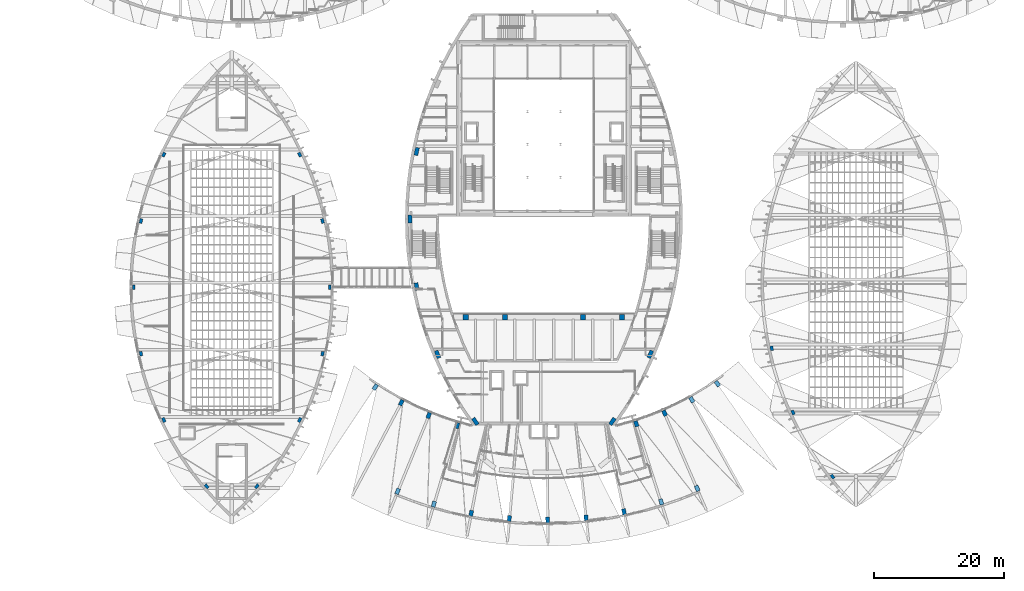
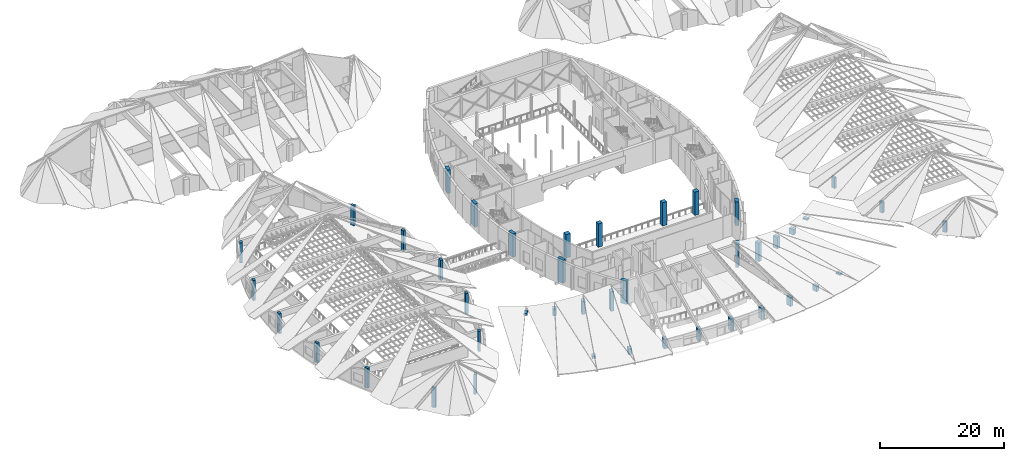
# One storey, part 1 of 56: 43 columns.
"""IFC4 building model written with IfcOpenShell, lengths in metres."""

from ifc_helpers import new_model, si_unit, direction, frame, origin, origin_2d, place, context, subcontext, project, spatial, rectangle, extrude, material, material_profile, profile_set, type_object, element, save


model = new_model("IFC4")

# Units and contexts
model_context = context("Model", 3, precision=1e-05, world=origin(), true_north=direction((0.0, 1.0)))
body_context = subcontext(model_context, "Body", "Model", "MODEL_VIEW")
ifc_project = project(units=[si_unit("LENGTHUNIT", "METRE"), si_unit("AREAUNIT", "SQUARE_METRE"), si_unit("VOLUMEUNIT", "CUBIC_METRE"), si_unit("PLANEANGLEUNIT", "RADIAN"), si_unit("MASSUNIT", "GRAM", prefix="KILO")], contexts=[model_context])

# Site, building, storey
site_placement = place(None, origin())
site = spatial("IfcSite", under=ifc_project, at=site_placement, CompositionType="ELEMENT")
building_placement = place(site_placement, origin())
building = spatial("IfcBuilding", under=site, at=building_placement, Name="Tide Square Theatres", CompositionType="ELEMENT")
storey_placement = place(building_placement, frame((0.0, 0.0, 10.199951171875)))
storey = spatial("IfcBuildingStorey", under=building, at=storey_placement, Name="L02", CompositionType="ELEMENT", Elevation=10.199951171875)

# Columns
ifc_material_1 = material(Name="Concrete C40", Category="concrete")
ifc_material_profile_1 = material_profile(ifc_material_1, rectangle(XDim=0.800048828125, YDim=0.800048828125, at=origin_2d()))
ifc_profile_set_1 = profile_set([ifc_material_profile_1], Name="Concrete C40")
column_type_1 = type_object("IfcColumnType", Name="RC column 800 x 800", PredefinedType="COLUMN", material=ifc_profile_set_1)
for number, where, z_axis, x_axis, name in (
    (1, (72.0, 39.89990234375, 0.0), (0.0, 0.0, 1.0), (1.0, 0.0, 0.0), "Circle front column"),
    (2, (78.0, 39.89990234375, 0.0), (0.0, 0.0, 1.0), (1.0, 0.0, 0.0), "Circle front column"),
    (3, (90.0, 39.89990234375, 0.0), (0.0, 0.0, 1.0), (1.0, 0.0, 0.0), "Circle front column"),
    (4, (96.0, 39.89990234375, 0.0), (0.0, 0.0, 1.0), (1.0, 0.0, 0.0), "Circle front column"),
):
    element("IfcColumn", number, at=place(storey_placement, frame(where, z_axis=z_axis, x_axis=x_axis)), inside=storey, type_object=column_type_1, Name=name, PredefinedType="COLUMN", context=body_context, shape_type="SweptSolid", body=[
        extrude(rectangle(XDim=0.800048828125, YDim=0.800048828125, at=origin_2d()), origin(), (0.0, 0.0, 1.0), 4.60009765625),
    ])
ifc_material_2 = material(Name="Concrete C40", Category="concrete")
ifc_material_profile_2 = material_profile(ifc_material_2, rectangle(XDim=1.199951171875, YDim=0.60009765625, at=origin_2d()))
ifc_profile_set_2 = profile_set([ifc_material_profile_2], Name="Concrete C40")
column_type_2 = type_object("IfcColumnType", Name="RC pier 1200 x 600", PredefinedType="PILASTER", material=ifc_profile_set_2)
for number, where, z_axis, x_axis, name in (
    (5, (94.5400390625, 23.878173828125, 0.0), (0.0, 0.0, 1.0), (0.562978035902, 0.82647185741, 0.0), "Rib foot pier"),
    (6, (100.35986328125, 34.2119140625, 0.0), (0.0, 0.0, 1.0), (0.416344267901, 0.90920704495, 0.0), "Rib foot pier"),
    (7, (73.4599609375, 23.878173828125, 0.0), (0.0, 0.0, 1.0), (0.562978035902, -0.82647185741, 0.0), "Rib foot pier"),
    (8, (67.651123046875, 34.185791015625, 0.0), (0.0, 0.0, 1.0), (0.366955870742, -0.930238350601, 0.0), "Rib foot pier"),
    (9, (64.443115234375, 44.58642578125, 0.0), (0.0, 0.0, 1.0), (0.171172540003, -0.985241067734, 0.0), "Rib foot pier"),
    (10, (63.414794921875, 54.987060546875, 0.0), (0.0, 0.0, 1.0), (-0.024571762574, -0.999698068661, 0.0), "Rib foot pier"),
    (11, (64.43798828125, 65.3876953125, 0.0), (0.0, 0.0, 1.0), (-0.220356962886, -0.975419299024, 0.0), "Rib foot pier"),
):
    element("IfcColumn", number, at=place(storey_placement, frame(where, z_axis=z_axis, x_axis=x_axis)), inside=storey, type_object=column_type_2, Name=name, PredefinedType="PILASTER", context=body_context, shape_type="SweptSolid", body=[
        extrude(rectangle(XDim=1.199951171875, YDim=0.60009765625, at=origin_2d()), origin(), (0.0, 0.0, 1.0), 4.60009765625),
    ])
ifc_material_3 = material(Name="Concrete C40", Category="concrete")
ifc_material_profile_3 = material_profile(ifc_material_3, rectangle(XDim=0.699951171875, YDim=0.449951171875, at=origin_2d()))
ifc_profile_set_3 = profile_set([ifc_material_profile_3], Name="Concrete C40")
column_type_3 = type_object("IfcColumnType", Name="RC pier 700 x 450", PredefinedType="PILASTER", material=ifc_profile_set_3)
column_1_placement = place(storey_placement, frame((39.86279296875, 13.90380859375, 0.0), z_axis=(0.0, 0.0, 1.0), x_axis=(0.646183644891, 0.763181955418, 0.0)))
element("IfcColumn", 12, at=column_1_placement, inside=storey, type_object=column_type_3, Name="Studio Theatre wall pier", PredefinedType="PILASTER", context=body_context, shape_type="SweptSolid", body=[
    extrude(rectangle(XDim=0.699951171875, YDim=0.449951171875, at=origin_2d()), origin(), (0.0, 0.0, 1.0), 3.923828125),
])
column_2_placement = place(storey_placement, frame((46.452392578125, 24.103515625, 0.0), z_axis=(0.0, 0.0, 1.0), x_axis=(0.433813735983, 0.901002576285, 0.0)))
element("IfcColumn", 13, at=column_2_placement, inside=storey, type_object=column_type_3, Name="Studio Theatre wall pier", PredefinedType="PILASTER", context=body_context, shape_type="SweptSolid", body=[
    extrude(rectangle(XDim=0.699951171875, YDim=0.449951171875, at=origin_2d()), origin(), (0.0, 0.0, 1.0), 3.928955078125),
])
column_3_placement = place(storey_placement, frame((49.95703125, 34.3017578125, 0.0), z_axis=(0.0, 0.0, 1.0), x_axis=(0.216640755448, 0.976251393381, 0.0)))
element("IfcColumn", 14, at=column_3_placement, inside=storey, type_object=column_type_3, Name="Studio Theatre wall pier", PredefinedType="PILASTER", context=body_context, shape_type="SweptSolid", body=[
    extrude(rectangle(XDim=0.699951171875, YDim=0.449951171875, at=origin_2d()), origin(), (0.0, 0.0, 1.0), 3.957763671875),
])
column_4_placement = place(storey_placement, frame((51.06787109375, 44.5, 0.0), z_axis=(0.0, 0.0, 1.0), x_axis=(0.0, 1.0, 0.0)))
element("IfcColumn", 15, at=column_4_placement, inside=storey, type_object=column_type_3, Name="Studio Theatre wall pier", PredefinedType="PILASTER", context=body_context, shape_type="SweptSolid", body=[
    extrude(rectangle(XDim=0.699951171875, YDim=0.449951171875, at=origin_2d()), origin(), (0.0, 0.0, 1.0), 3.966552734375),
])
column_5_placement = place(storey_placement, frame((49.95703125, 54.6982421875, 0.0), z_axis=(0.0, 0.0, 1.0), x_axis=(-0.216640755448, 0.976251393381, 0.0)))
element("IfcColumn", 16, at=column_5_placement, inside=storey, type_object=column_type_3, Name="Studio Theatre wall pier", PredefinedType="PILASTER", context=body_context, shape_type="SweptSolid", body=[
    extrude(rectangle(XDim=0.699951171875, YDim=0.449951171875, at=origin_2d()), origin(), (0.0, 0.0, 1.0), 3.953369140625),
])
column_6_placement = place(storey_placement, frame((46.452392578125, 64.896484375, 0.0), z_axis=(0.0, 0.0, 1.0), x_axis=(-0.433813735983, 0.901002576285, 0.0)))
element("IfcColumn", 17, at=column_6_placement, inside=storey, type_object=column_type_3, Name="Studio Theatre wall pier", PredefinedType="PILASTER", context=body_context, shape_type="SweptSolid", body=[
    extrude(rectangle(XDim=0.699951171875, YDim=0.449951171875, at=origin_2d()), origin(), (0.0, 0.0, 1.0), 3.949951171875),
])
column_7_placement = place(storey_placement, frame((32.13720703125, 13.90380859375, 0.0), z_axis=(0.0, 0.0, 1.0), x_axis=(0.646183644891, -0.763181955418, 0.0)))
element("IfcColumn", 18, at=column_7_placement, inside=storey, type_object=column_type_3, Name="Studio Theatre wall pier", PredefinedType="PILASTER", context=body_context, shape_type="SweptSolid", body=[
    extrude(rectangle(XDim=0.699951171875, YDim=0.449951171875, at=origin_2d()), origin(), (0.0, 0.0, 1.0), 3.923828125),
])
column_8_placement = place(storey_placement, frame((25.547607421875, 24.103515625, 0.0), z_axis=(0.0, 0.0, 1.0), x_axis=(0.433813735983, -0.901002576285, 0.0)))
element("IfcColumn", 19, at=column_8_placement, inside=storey, type_object=column_type_3, Name="Studio Theatre wall pier", PredefinedType="PILASTER", context=body_context, shape_type="SweptSolid", body=[
    extrude(rectangle(XDim=0.699951171875, YDim=0.449951171875, at=origin_2d()), origin(), (0.0, 0.0, 1.0), 3.928955078125),
])
column_9_placement = place(storey_placement, frame((22.04296875, 34.3017578125, 0.0), z_axis=(0.0, 0.0, 1.0), x_axis=(0.216640755448, -0.976251393381, 0.0)))
element("IfcColumn", 20, at=column_9_placement, inside=storey, type_object=column_type_3, Name="Studio Theatre wall pier", PredefinedType="PILASTER", context=body_context, shape_type="SweptSolid", body=[
    extrude(rectangle(XDim=0.699951171875, YDim=0.449951171875, at=origin_2d()), origin(), (0.0, 0.0, 1.0), 3.957763671875),
])
column_10_placement = place(storey_placement, frame((20.93212890625, 44.5, 0.0), z_axis=(0.0, 0.0, 1.0), x_axis=(0.0, -1.0, 0.0)))
element("IfcColumn", 21, at=column_10_placement, inside=storey, type_object=column_type_3, Name="Studio Theatre wall pier", PredefinedType="PILASTER", context=body_context, shape_type="SweptSolid", body=[
    extrude(rectangle(XDim=0.699951171875, YDim=0.449951171875, at=origin_2d()), origin(), (0.0, 0.0, 1.0), 3.966552734375),
])
column_11_placement = place(storey_placement, frame((22.04296875, 54.6982421875, 0.0), z_axis=(0.0, 0.0, 1.0), x_axis=(-0.216640755448, -0.976251393381, 0.0)))
element("IfcColumn", 22, at=column_11_placement, inside=storey, type_object=column_type_3, Name="Studio Theatre wall pier", PredefinedType="PILASTER", context=body_context, shape_type="SweptSolid", body=[
    extrude(rectangle(XDim=0.699951171875, YDim=0.449951171875, at=origin_2d()), origin(), (0.0, 0.0, 1.0), 3.953369140625),
])
column_12_placement = place(storey_placement, frame((25.547607421875, 64.896484375, 0.0), z_axis=(0.0, 0.0, 1.0), x_axis=(-0.433813735983, -0.901002576285, 0.0)))
element("IfcColumn", 23, at=column_12_placement, inside=storey, type_object=column_type_3, Name="Studio Theatre wall pier", PredefinedType="PILASTER", context=body_context, shape_type="SweptSolid", body=[
    extrude(rectangle(XDim=0.699951171875, YDim=0.449951171875, at=origin_2d()), origin(), (0.0, 0.0, 1.0), 3.949951171875),
])
column_13_placement = place(storey_placement, frame((128.390625, 15.390869140625, 0.0), z_axis=(0.0, 0.0, 1.0), x_axis=(0.625818839057, -0.779968448517, 0.0)))
element("IfcColumn", 24, at=column_13_placement, inside=storey, type_object=column_type_3, Name="Black Box Theatre wall pier", PredefinedType="PILASTER", context=body_context, shape_type="SweptSolid", body=[
    extrude(rectangle(XDim=0.699951171875, YDim=0.449951171875, at=origin_2d()), origin(), (0.0, 0.0, 1.0), 2.12548828125),
])
column_14_placement = place(storey_placement, frame((122.305908203125, 25.261474609375, 0.0), z_axis=(0.0, 0.0, 1.0), x_axis=(0.419559661178, -0.907727762444, 0.0)))
element("IfcColumn", 25, at=column_14_placement, inside=storey, type_object=column_type_3, Name="Black Box Theatre wall pier", PredefinedType="PILASTER", context=body_context, shape_type="SweptSolid", body=[
    extrude(rectangle(XDim=0.699951171875, YDim=0.449951171875, at=origin_2d()), origin(), (0.0, 0.0, 1.0), 2.129150390625),
])
column_15_placement = place(storey_placement, frame((119.037353515625, 35.130615234375, 0.0), z_axis=(0.0, 0.0, 1.0), x_axis=(0.20956121082, -0.977795530221, 0.0)))
element("IfcColumn", 26, at=column_15_placement, inside=storey, type_object=column_type_3, Name="Black Box Theatre wall pier", PredefinedType="PILASTER", context=body_context, shape_type="SweptSolid", body=[
    extrude(rectangle(XDim=0.699951171875, YDim=0.449951171875, at=origin_2d()), origin(), (0.0, 0.0, 1.0), 2.1572265625),
])
ifc_material_4 = material(Name="Concrete C40", Category="concrete")
ifc_material_profile_4 = material_profile(ifc_material_4, rectangle(XDim=0.89990234375, YDim=0.60009765625, at=origin_2d()))
ifc_profile_set_4 = profile_set([ifc_material_profile_4], Name="Concrete C40")
column_type_4 = type_object("IfcColumnType", Name="RC pier 900 x 600", PredefinedType="PILASTER", material=ifc_profile_set_4)
column_16_placement = place(storey_placement, frame((58.076904296875, 29.15576171875, 0.0), z_axis=(0.0, 0.0, 1.0), x_axis=(-0.555099959227, -0.831783646909, 0.0)))
element("IfcColumn", 27, at=column_16_placement, inside=storey, type_object=column_type_4, Name="Foyer inner pier", PredefinedType="PILASTER", context=body_context, shape_type="SweptSolid", body=[
    extrude(rectangle(XDim=0.89990234375, YDim=0.60009765625, at=origin_2d()), origin(), (0.0, 0.0, 1.0), 0.404052734375),
])
column_17_placement = place(storey_placement, frame((62.072998046875, 26.767578125, 0.0), z_axis=(0.0, 0.0, 1.0), x_axis=(-0.469527039093, -0.882918093348, 0.0)))
element("IfcColumn", 28, at=column_17_placement, inside=storey, type_object=column_type_4, Name="Foyer inner pier", PredefinedType="PILASTER", context=body_context, shape_type="SweptSolid", body=[
    extrude(rectangle(XDim=0.89990234375, YDim=0.60009765625, at=origin_2d()), origin(), (0.0, 0.0, 1.0), 1.311279296875),
])
column_18_placement = place(storey_placement, frame((61.50830078125, 13.131103515625, 0.0), z_axis=(0.0, 0.0, 1.0), x_axis=(-0.379288214538, -0.925278579841, 0.0)))
element("IfcColumn", 29, at=column_18_placement, inside=storey, type_object=column_type_4, Name="Foyer outer pier", PredefinedType="PILASTER", context=body_context, shape_type="SweptSolid", body=[
    extrude(rectangle(XDim=0.89990234375, YDim=0.60009765625, at=origin_2d()), origin(), (0.0, 0.0, 1.0), 0.400390625),
])
column_19_placement = place(storey_placement, frame((66.287109375, 24.78955078125, 0.0), z_axis=(0.0, 0.0, 1.0), x_axis=(-0.379288214538, -0.925278579841, 0.0)))
element("IfcColumn", 30, at=column_19_placement, inside=storey, type_object=column_type_4, Name="Foyer inner pier", PredefinedType="PILASTER", context=body_context, shape_type="SweptSolid", body=[
    extrude(rectangle(XDim=0.89990234375, YDim=0.60009765625, at=origin_2d()), origin(), (0.0, 0.0, 1.0), 2.54541015625),
])
column_20_placement = place(storey_placement, frame((67.082763671875, 11.164306640625, 0.0), z_axis=(0.0, 0.0, 1.0), x_axis=(-0.285281902737, -0.958443652997, 0.0)))
element("IfcColumn", 31, at=column_20_placement, inside=storey, type_object=column_type_4, Name="Foyer outer pier", PredefinedType="PILASTER", context=body_context, shape_type="SweptSolid", body=[
    extrude(rectangle(XDim=0.89990234375, YDim=0.60009765625, at=origin_2d()), origin(), (0.0, 0.0, 1.0), 1.1708984375),
])
column_21_placement = place(storey_placement, frame((70.677490234375, 23.24072265625, 0.0), z_axis=(0.0, 0.0, 1.0), x_axis=(-0.285281902737, -0.958443652997, 0.0)))
element("IfcColumn", 32, at=column_21_placement, inside=storey, type_object=column_type_4, Name="Foyer inner pier", PredefinedType="PILASTER", context=body_context, shape_type="SweptSolid", body=[
    extrude(rectangle(XDim=0.89990234375, YDim=0.60009765625, at=origin_2d()), origin(), (0.0, 0.0, 1.0), 3.86767578125),
])
column_22_placement = place(storey_placement, frame((72.82568359375, 9.762451171875, 0.0), z_axis=(0.0, 0.0, 1.0), x_axis=(-0.188438999586, -0.982084896246, 0.0)))
element("IfcColumn", 33, at=column_22_placement, inside=storey, type_object=column_type_4, Name="Foyer outer pier", PredefinedType="PILASTER", context=body_context, shape_type="SweptSolid", body=[
    extrude(rectangle(XDim=0.89990234375, YDim=0.60009765625, at=origin_2d()), origin(), (0.0, 0.0, 1.0), 1.84375),
])
column_23_placement = place(storey_placement, frame((78.679443359375, 8.939208984375, 0.0), z_axis=(0.0, 0.0, 1.0), x_axis=(-0.089723492117, -0.995966713782, 0.0)))
element("IfcColumn", 34, at=column_23_placement, inside=storey, type_object=column_type_4, Name="Foyer outer pier", PredefinedType="PILASTER", context=body_context, shape_type="SweptSolid", body=[
    extrude(rectangle(XDim=0.89990234375, YDim=0.60009765625, at=origin_2d()), origin(), (0.0, 0.0, 1.0), 2.29052734375),
])
column_24_placement = place(storey_placement, frame((84.586181640625, 8.702880859375, 0.0), z_axis=(0.0, 0.0, 1.0), x_axis=(0.009883638631, -0.999951155651, 0.0)))
element("IfcColumn", 35, at=column_24_placement, inside=storey, type_object=column_type_4, Name="Foyer outer pier", PredefinedType="PILASTER", context=body_context, shape_type="SweptSolid", body=[
    extrude(rectangle(XDim=0.89990234375, YDim=0.60009765625, at=origin_2d()), origin(), (0.0, 0.0, 1.0), 2.426025390625),
])
column_25_placement = place(storey_placement, frame((90.487060546875, 9.055908203125, 0.0), z_axis=(0.0, 0.0, 1.0), x_axis=(0.109392551153, -0.993998626635, 0.0)))
element("IfcColumn", 36, at=column_25_placement, inside=storey, type_object=column_type_4, Name="Foyer outer pier", PredefinedType="PILASTER", context=body_context, shape_type="SweptSolid", body=[
    extrude(rectangle(XDim=0.89990234375, YDim=0.60009765625, at=origin_2d()), origin(), (0.0, 0.0, 1.0), 2.224853515625),
])
column_26_placement = place(storey_placement, frame((96.323486328125, 9.99462890625, 0.0), z_axis=(0.0, 0.0, 1.0), x_axis=(0.207814379981, -0.978168279732, 0.0)))
element("IfcColumn", 37, at=column_26_placement, inside=storey, type_object=column_type_4, Name="Foyer outer pier", PredefinedType="PILASTER", context=body_context, shape_type="SweptSolid", body=[
    extrude(rectangle(XDim=0.89990234375, YDim=0.60009765625, at=origin_2d()), origin(), (0.0, 0.0, 1.0), 1.72509765625),
])
column_27_placement = place(storey_placement, frame((102.037353515625, 11.509765625, 0.0), z_axis=(0.0, 0.0, 1.0), x_axis=(0.304171062495, -0.952617428321, 0.0)))
element("IfcColumn", 38, at=column_27_placement, inside=storey, type_object=column_type_4, Name="Foyer outer pier", PredefinedType="PILASTER", context=body_context, shape_type="SweptSolid", body=[
    extrude(rectangle(XDim=0.89990234375, YDim=0.60009765625, at=origin_2d()), origin(), (0.0, 0.0, 1.0), 1.021728515625),
])
column_28_placement = place(storey_placement, frame((98.204833984375, 23.5126953125, 0.0), z_axis=(0.0, 0.0, 1.0), x_axis=(0.304171062495, -0.952617428321, 0.0)))
element("IfcColumn", 39, at=column_28_placement, inside=storey, type_object=column_type_4, Name="Foyer inner pier", PredefinedType="PILASTER", context=body_context, shape_type="SweptSolid", body=[
    extrude(rectangle(XDim=0.89990234375, YDim=0.60009765625, at=origin_2d()), origin(), (0.0, 0.0, 1.0), 3.611328125),
])
column_29_placement = place(storey_placement, frame((107.572021484375, 13.586181640625, 0.0), z_axis=(0.0, 0.0, 1.0), x_axis=(0.397505058376, -0.917599982871, 0.0)))
element("IfcColumn", 40, at=column_29_placement, inside=storey, type_object=column_type_4, Name="Foyer outer pier", PredefinedType="PILASTER", context=body_context, shape_type="SweptSolid", body=[
    extrude(rectangle(XDim=0.89990234375, YDim=0.60009765625, at=origin_2d()), origin(), (0.0, 0.0, 1.0), 0.249267578125),
])
column_30_placement = place(storey_placement, frame((102.5634765625, 25.148193359375, 0.0), z_axis=(0.0, 0.0, 1.0), x_axis=(0.397505058376, -0.917599982871, 0.0)))
element("IfcColumn", 41, at=column_30_placement, inside=storey, type_object=column_type_4, Name="Foyer inner pier", PredefinedType="PILASTER", context=body_context, shape_type="SweptSolid", body=[
    extrude(rectangle(XDim=0.89990234375, YDim=0.60009765625, at=origin_2d()), origin(), (0.0, 0.0, 1.0), 2.285888671875),
])
column_31_placement = place(storey_placement, frame((106.73779296875, 27.209228515625, 0.0), z_axis=(0.0, 0.0, 1.0), x_axis=(0.486888865121, -0.873463927716, 0.0)))
element("IfcColumn", 42, at=column_31_placement, inside=storey, type_object=column_type_4, Name="Foyer inner pier", PredefinedType="PILASTER", context=body_context, shape_type="SweptSolid", body=[
    extrude(rectangle(XDim=0.89990234375, YDim=0.60009765625, at=origin_2d()), origin(), (0.0, 0.0, 1.0), 1.098876953125),
])
column_32_placement = place(storey_placement, frame((110.68603515625, 29.67578125, 0.0), z_axis=(0.0, 0.0, 1.0), x_axis=(0.571434235059, -0.820647862973, 0.0)))
element("IfcColumn", 43, at=column_32_placement, inside=storey, type_object=column_type_4, Name="Foyer inner pier", PredefinedType="PILASTER", context=body_context, shape_type="SweptSolid", body=[
    extrude(rectangle(XDim=0.89990234375, YDim=0.60009765625, at=origin_2d()), origin(), (0.0, 0.0, 1.0), 0.27978515625),
])

save(model, "model.ifc")
